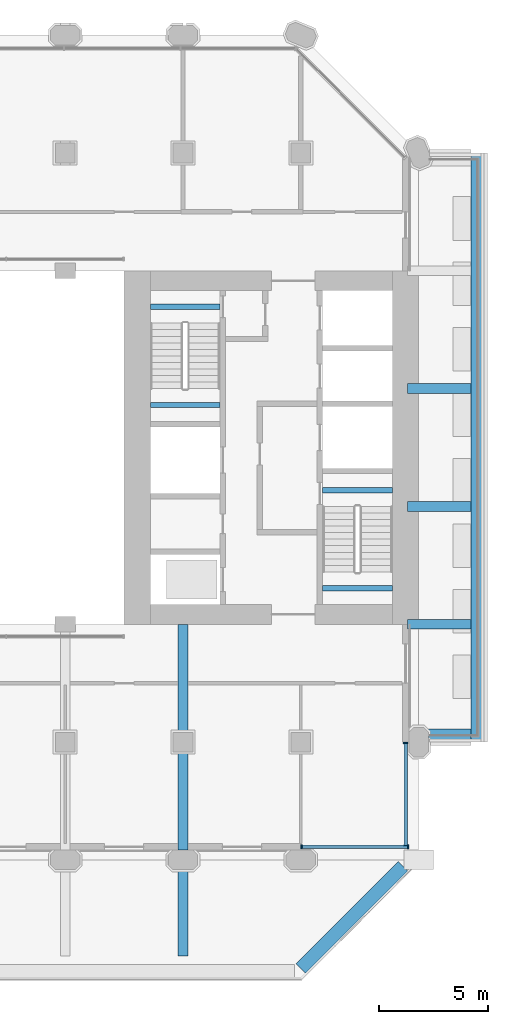
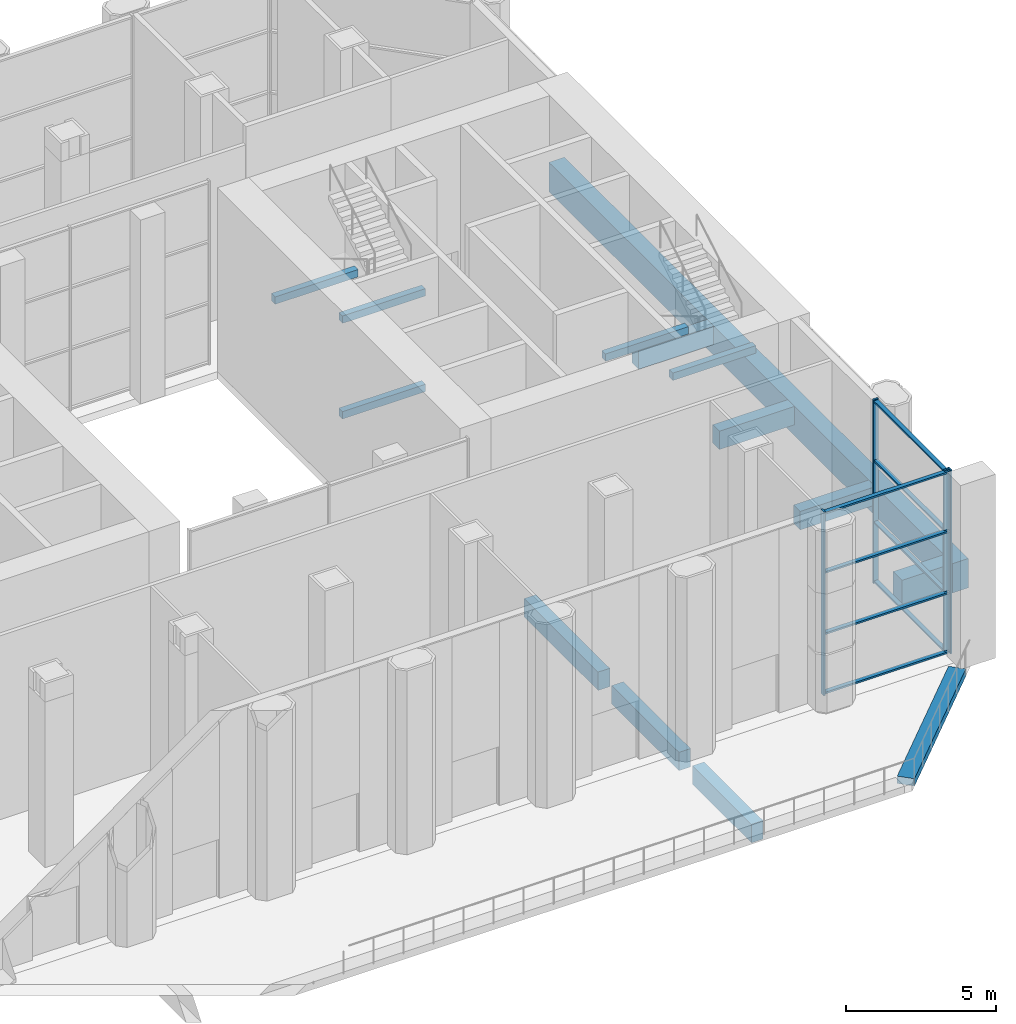
# One storey, part 5 of 20: 14 beams, 12 members, 2 elements without a shape of their own.
"""IFC4 building model written with IfcOpenShell, lengths in metres."""

from ifc_helpers import new_model, si_unit, direction, frame, origin, origin_2d, place, context, subcontext, project, spatial, rectangle, extrude, material, material_profile, profile_set, type_object, element, aggregate, save


model = new_model("IFC4")

# Units and contexts
model_context = context("Model", 3, precision=1e-05, world=origin(), true_north=direction((0.0, 1.0)))
body_context = subcontext(model_context, "Body", "Model", "MODEL_VIEW")
ifc_project = project(units=[si_unit("LENGTHUNIT", "METRE"), si_unit("AREAUNIT", "SQUARE_METRE"), si_unit("VOLUMEUNIT", "CUBIC_METRE"), si_unit("PLANEANGLEUNIT", "RADIAN"), si_unit("MASSUNIT", "GRAM", prefix="KILO")], contexts=[model_context])

# Site, building, storey
site_placement = place(None, origin())
site = spatial("IfcSite", under=ifc_project, at=site_placement, CompositionType="ELEMENT")
building_placement = place(site_placement, origin())
building = spatial("IfcBuilding", under=site, at=building_placement, Name="Tabaq Tower and Sports Hall", CompositionType="ELEMENT")
storey_placement = place(building_placement, frame((0.0, 0.0, 130.60009765625)))
storey = spatial("IfcBuildingStorey", under=building, at=storey_placement, Name="L31", CompositionType="ELEMENT", Elevation=130.60009765625)

# Curtain wall, members
ifc_material_1 = material(Name="Aluminium alloy 6063-T6 framed glazing", Category="aluminium")
curtain_wall_type = type_object("IfcCurtainWallType", Name="CW2 curtain wall", PredefinedType="USERDEFINED", material=ifc_material_1)
curtain_wall_1_placement = place(storey_placement, origin())
curtain_wall_1 = element("IfcCurtainWall", 1, at=curtain_wall_1_placement, inside=storey, type_object=curtain_wall_type, Name="Sky Lobby Wall L31 S", ObjectType="SKY LOBBY WALL", PredefinedType="USERDEFINED")
ifc_material_2 = material(Name="Aluminium alloy 6063-T6", Category="aluminium")
ifc_material_profile_1 = material_profile(ifc_material_2, rectangle(XDim=0.199951171875, YDim=0.070068359375, at=origin_2d()), Name="MULLION 200x70")
ifc_profile_set_1 = profile_set([ifc_material_profile_1], Name="Aluminium alloy 6063-T6")
member_type_1 = type_object("IfcMemberType", Name="CW2 mullion 200x70", PredefinedType="MULLION", material=ifc_profile_set_1)
member_1_placement = place(storey_placement, frame((37.8349609375, 6.0, 0.0), z_axis=(0.0, 0.0, 1.0), x_axis=(0.0, 1.0, 0.0)))
member_1 = element("IfcMember", 2, at=member_1_placement, type_object=member_type_1, Name="CW2 mullion 1", PredefinedType="MULLION", context=body_context, shape_type="SweptSolid", body=[
    extrude(rectangle(XDim=0.199951171875, YDim=0.070068359375, at=origin_2d()), origin(), (0.0, 0.0, 1.0), 7.5),
])
member_2_placement = place(storey_placement, frame((42.715087890625, 6.0, 0.0), z_axis=(0.0, 0.0, 1.0), x_axis=(0.0, 1.0, 0.0)))
member_2 = element("IfcMember", 3, at=member_2_placement, type_object=member_type_1, Name="CW2 mullion 2", PredefinedType="MULLION", context=body_context, shape_type="SweptSolid", body=[
    extrude(rectangle(XDim=0.199951171875, YDim=0.070068359375, at=origin_2d()), origin(), (0.0, 0.0, 1.0), 7.5),
])

curtain_wall_2_placement = place(storey_placement, origin())
curtain_wall_2 = element("IfcCurtainWall", 4, at=curtain_wall_2_placement, inside=storey, type_object=curtain_wall_type, Name="Sky Lobby Wall L31 E", ObjectType="SKY LOBBY WALL", PredefinedType="USERDEFINED")
member_3_placement = place(storey_placement, frame((42.60009765625, 6.034912109375, 0.0), z_axis=(0.0, 0.0, 1.0), x_axis=(-1.0, 0.0, 0.0)))
member_3 = element("IfcMember", 5, at=member_3_placement, type_object=member_type_1, Name="CW2 mullion 1", PredefinedType="MULLION", context=body_context, shape_type="SweptSolid", body=[
    extrude(rectangle(XDim=0.199951171875, YDim=0.070068359375, at=origin_2d()), origin(), (0.0, 0.0, 1.0), 7.5),
])
member_4_placement = place(storey_placement, frame((42.60009765625, 10.764892578125, 0.0), z_axis=(0.0, 0.0, 1.0), x_axis=(-1.0, 0.0, 0.0)))
member_4 = element("IfcMember", 6, at=member_4_placement, type_object=member_type_1, Name="CW2 mullion 2", PredefinedType="MULLION", context=body_context, shape_type="SweptSolid", body=[
    extrude(rectangle(XDim=0.199951171875, YDim=0.070068359375, at=origin_2d()), origin(), (0.0, 0.0, 1.0), 7.5),
])

# Member
ifc_material_3 = material(Name="Aluminium alloy 6063-T6", Category="aluminium")
ifc_material_profile_2 = material_profile(ifc_material_3, rectangle(XDim=0.159912109375, YDim=0.070068359375, at=origin_2d()), Name="TRANSOM 160x70")
ifc_profile_set_2 = profile_set([ifc_material_profile_2], Name="Aluminium alloy 6063-T6")
member_type_2 = type_object("IfcMemberType", Name="CW2 transom 160x70", PredefinedType="USERDEFINED", material=ifc_profile_set_2)
member_5_placement = place(storey_placement, frame((37.8701171875, 6.0, 0.079833984375), z_axis=(1.0, 0.0, 0.0), x_axis=(0.0, 1.0, 0.0)))
member_5 = element("IfcMember", 7, at=member_5_placement, type_object=member_type_2, Name="CW2 transom 1.1", ObjectType="TRANSOM", PredefinedType="USERDEFINED", context=body_context, shape_type="SweptSolid", body=[
    extrude(rectangle(XDim=0.159912109375, YDim=0.070068359375, at=origin_2d()), origin(), (0.0, 0.0, 1.0), 4.809814453125),
])

member_6_placement = place(storey_placement, frame((37.8701171875, 6.0, 2.5), z_axis=(1.0, 0.0, 0.0), x_axis=(0.0, 1.0, 0.0)))
member_6 = element("IfcMember", 8, at=member_6_placement, type_object=member_type_2, Name="CW2 transom 1.2", ObjectType="TRANSOM", PredefinedType="USERDEFINED", context=body_context, shape_type="SweptSolid", body=[
    extrude(rectangle(XDim=0.159912109375, YDim=0.070068359375, at=origin_2d()), origin(), (0.0, 0.0, 1.0), 4.809814453125),
])

member_7_placement = place(storey_placement, frame((37.8701171875, 6.0, 5.0), z_axis=(1.0, 0.0, 0.0), x_axis=(0.0, 1.0, 0.0)))
member_7 = element("IfcMember", 9, at=member_7_placement, type_object=member_type_2, Name="CW2 transom 1.3", ObjectType="TRANSOM", PredefinedType="USERDEFINED", context=body_context, shape_type="SweptSolid", body=[
    extrude(rectangle(XDim=0.159912109375, YDim=0.070068359375, at=origin_2d()), origin(), (0.0, 0.0, 1.0), 4.809814453125),
])

member_8_placement = place(storey_placement, frame((37.8701171875, 6.0, 7.419921875), z_axis=(1.0, 0.0, 0.0), x_axis=(0.0, 1.0, 0.0)))
member_8 = element("IfcMember", 10, at=member_8_placement, type_object=member_type_2, Name="CW2 transom 1.4", ObjectType="TRANSOM", PredefinedType="USERDEFINED", context=body_context, shape_type="SweptSolid", body=[
    extrude(rectangle(XDim=0.159912109375, YDim=0.070068359375, at=origin_2d()), origin(), (0.0, 0.0, 1.0), 4.809814453125),
])

aggregate(curtain_wall_1, [member_1, member_2, member_5, member_6, member_7, member_8])

member_9_placement = place(storey_placement, frame((42.60009765625, 6.070068359375, 0.079833984375), z_axis=(0.0, 1.0, 0.0), x_axis=(-1.0, 0.0, 0.0)))
member_9 = element("IfcMember", 11, at=member_9_placement, type_object=member_type_2, Name="CW2 transom 1.1", ObjectType="TRANSOM", PredefinedType="USERDEFINED", context=body_context, shape_type="SweptSolid", body=[
    extrude(rectangle(XDim=0.159912109375, YDim=0.070068359375, at=origin_2d()), origin(), (0.0, 0.0, 1.0), 4.659912109375),
])

member_10_placement = place(storey_placement, frame((42.60009765625, 6.070068359375, 2.5), z_axis=(0.0, 1.0, 0.0), x_axis=(-1.0, 0.0, 0.0)))
member_10 = element("IfcMember", 12, at=member_10_placement, type_object=member_type_2, Name="CW2 transom 1.2", ObjectType="TRANSOM", PredefinedType="USERDEFINED", context=body_context, shape_type="SweptSolid", body=[
    extrude(rectangle(XDim=0.159912109375, YDim=0.070068359375, at=origin_2d()), origin(), (0.0, 0.0, 1.0), 4.659912109375),
])

member_11_placement = place(storey_placement, frame((42.60009765625, 6.070068359375, 5.0), z_axis=(0.0, 1.0, 0.0), x_axis=(-1.0, 0.0, 0.0)))
member_11 = element("IfcMember", 13, at=member_11_placement, type_object=member_type_2, Name="CW2 transom 1.3", ObjectType="TRANSOM", PredefinedType="USERDEFINED", context=body_context, shape_type="SweptSolid", body=[
    extrude(rectangle(XDim=0.159912109375, YDim=0.070068359375, at=origin_2d()), origin(), (0.0, 0.0, 1.0), 4.659912109375),
])

member_12_placement = place(storey_placement, frame((42.60009765625, 6.070068359375, 7.419921875), z_axis=(0.0, 1.0, 0.0), x_axis=(-1.0, 0.0, 0.0)))
member_12 = element("IfcMember", 14, at=member_12_placement, type_object=member_type_2, Name="CW2 transom 1.4", ObjectType="TRANSOM", PredefinedType="USERDEFINED", context=body_context, shape_type="SweptSolid", body=[
    extrude(rectangle(XDim=0.159912109375, YDim=0.070068359375, at=origin_2d()), origin(), (0.0, 0.0, 1.0), 4.659912109375),
])

aggregate(curtain_wall_2, [member_3, member_4, member_9, member_10, member_11, member_12])

# Beams
ifc_material_4 = material(Name="Concrete C40/50", Category="concrete")
ifc_material_profile_3 = material_profile(ifc_material_4, rectangle(XDim=0.60009765625, YDim=1.199951171875, at=origin_2d()), Name="EBT 600x1200")
ifc_profile_set_3 = profile_set([ifc_material_profile_3], Name="Concrete C40/50")
beam_type_1 = type_object("IfcBeamType", Name="Concrete C40/50 PT edge band EBT 600x1200", PredefinedType="BEAM", material=ifc_profile_set_3)
beam_1_placement = place(storey_placement, frame((45.89990234375, 10.800048828125, -0.900146484375), z_axis=(0.0, 1.0, 0.0), x_axis=(-1.0, 0.0, 0.0)))
element("IfcBeam", 15, at=beam_1_placement, inside=storey, type_object=beam_type_1, Name="Tray edge band L31", PredefinedType="BEAM", context=body_context, shape_type="SweptSolid", body=[
    extrude(rectangle(XDim=0.60009765625, YDim=1.199951171875, at=origin_2d()), origin(), (0.0, 0.0, 1.0), 27.0),
])
beam_2_placement = place(storey_placement, frame((43.64990234375, 11.10009765625, -0.900146484375), z_axis=(1.0, 0.0, 0.0), x_axis=(0.0, 1.0, 0.0)))
element("IfcBeam", 16, at=beam_2_placement, inside=storey, type_object=beam_type_1, Name="Tray edge band L31", PredefinedType="BEAM", context=body_context, shape_type="SweptSolid", body=[
    extrude(rectangle(XDim=0.60009765625, YDim=1.199951171875, at=origin_2d()), origin(), (0.0, 0.0, 1.0), 1.9501953125),
])
ifc_material_5 = material(Name="Concrete C40/50", Category="concrete")
ifc_material_profile_4 = material_profile(ifc_material_5, rectangle(XDim=0.449951171875, YDim=0.75, at=origin_2d()), Name="CB 450x750")
ifc_profile_set_4 = profile_set([ifc_material_profile_4], Name="Concrete C40/50")
beam_type_2 = type_object("IfcBeamType", Name="PT CANTILEVER BEAM CB 450x750 C40/50", PredefinedType="BEAM", material=ifc_profile_set_4)
beam_3_placement = place(storey_placement, frame((32.39990234375, 1.0, -0.675048828125), z_axis=(0.0, 1.0, 0.0), x_axis=(-1.0, 0.0, 0.0)))
element("IfcBeam", 17, at=beam_3_placement, inside=storey, type_object=beam_type_2, Name="Cantilever Beam L31 S6 span 1", PredefinedType="BEAM", context=body_context, shape_type="SweptSolid", body=[
    extrude(rectangle(XDim=0.449951171875, YDim=0.75, at=origin_2d()), origin(), (0.0, 0.0, 1.0), 3.949951171875),
])
beam_4_placement = place(storey_placement, frame((32.39990234375, 5.85009765625, -0.675048828125), z_axis=(0.0, 1.0, 0.0), x_axis=(-1.0, 0.0, 0.0)))
element("IfcBeam", 18, at=beam_4_placement, inside=storey, type_object=beam_type_2, Name="Cantilever Beam L31 S6 span 2", PredefinedType="BEAM", context=body_context, shape_type="SweptSolid", body=[
    extrude(rectangle(XDim=0.449951171875, YDim=0.75, at=origin_2d()), origin(), (0.0, 0.0, 1.0), 4.5),
])
beam_5_placement = place(storey_placement, frame((32.39990234375, 11.25, -0.675048828125), z_axis=(0.0, 1.0, 0.0), x_axis=(-1.0, 0.0, 0.0)))
element("IfcBeam", 19, at=beam_5_placement, inside=storey, type_object=beam_type_2, Name="Cantilever Beam L31 S6 span 3", PredefinedType="BEAM", context=body_context, shape_type="SweptSolid", body=[
    extrude(rectangle(XDim=0.449951171875, YDim=0.75, at=origin_2d()), origin(), (0.0, 0.0, 1.0), 4.949951171875),
])
for number, where, z_axis, x_axis, name in (
    (20, (45.60009765625, 16.199951171875, -0.675048828125), (-1.0, 0.0, 0.0), (0.0, -1.0, 0.0), "Tray Cantilever Beam L31 T1 span 1"),
    (21, (45.60009765625, 21.60009765625, -0.675048828125), (-1.0, 0.0, 0.0), (0.0, -1.0, 0.0), "Tray Cantilever Beam L31 T2 span 1"),
    (22, (45.60009765625, 27.0, -0.675048828125), (-1.0, 0.0, 0.0), (0.0, -1.0, 0.0), "Tray Cantilever Beam L31 T3 span 1"),
):
    element("IfcBeam", number, at=place(storey_placement, frame(where, z_axis=z_axis, x_axis=x_axis)), inside=storey, type_object=beam_type_2, Name=name, PredefinedType="BEAM", context=body_context, shape_type="SweptSolid", body=[
        extrude(rectangle(XDim=0.449951171875, YDim=0.75, at=origin_2d()), origin(), (0.0, 0.0, 1.0), 2.900146484375),
    ])
ifc_material_6 = material(Name="Concrete C40/50", Category="concrete")
ifc_material_profile_5 = material_profile(ifc_material_6, rectangle(XDim=0.60009765625, YDim=0.300048828125, at=origin_2d()), Name="EB 600x300")
ifc_profile_set_5 = profile_set([ifc_material_profile_5], Name="Concrete C40/50")
beam_type_3 = type_object("IfcBeamType", Name="PT EDGE BEAM EB 600x300 C40/50", PredefinedType="SPANDREL", material=ifc_profile_set_5)
beam_6_placement = place(storey_placement, frame((37.799072265625, 0.42333984375, -0.150146484375), z_axis=(0.707106781187, 0.707106781187, 0.0), x_axis=(-0.707106781187, 0.707106781187, 0.0)))
element("IfcBeam", 23, at=beam_6_placement, inside=storey, type_object=beam_type_3, Name="Edge Beam L31 4", PredefinedType="SPANDREL", context=body_context, shape_type="SweptSolid", body=[
    extrude(rectangle(XDim=0.60009765625, YDim=0.300048828125, at=origin_2d()), origin(), (0.0, 0.0, 1.0), 6.628173828125),
])
ifc_material_7 = material(Name="Concrete C40/50", Category="concrete")
ifc_material_profile_6 = material_profile(ifc_material_7, rectangle(XDim=0.25, YDim=0.300048828125, at=origin_2d()), Name="RC 250x300")
ifc_profile_set_6 = profile_set([ifc_material_profile_6], Name="Concrete C40/50")
beam_type_4 = type_object("IfcBeamType", Name="Stair landing beam 250x300", PredefinedType="BEAM", material=ifc_profile_set_6)
for number, where, z_axis, x_axis, name in (
    (24, (38.800048828125, 22.35009765625, 3.5498046875), (1.0, 0.0, 0.0), (0.0, 1.0, 0.0), "L31 ST3 landing beam 2"),
    (25, (38.800048828125, 17.85009765625, 5.5), (1.0, 0.0, 0.0), (0.0, 1.0, 0.0), "L31 ST3 landing beam 3"),
):
    element("IfcBeam", number, at=place(storey_placement, frame(where, z_axis=z_axis, x_axis=x_axis)), inside=storey, type_object=beam_type_4, Name=name, PredefinedType="BEAM", context=body_context, shape_type="SweptSolid", body=[
        extrude(rectangle(XDim=0.25, YDim=0.300048828125, at=origin_2d()), origin(), (0.0, 0.0, 1.0), 3.199951171875),
    ])
for number, where, z_axis, x_axis, name in (
    (26, (30.89990234375, 26.25, 1.599853515625), (1.0, 0.0, 0.0), (0.0, 1.0, 0.0), "L31 ST4 landing beam 1"),
    (27, (30.89990234375, 30.75, 3.5498046875), (1.0, 0.0, 0.0), (0.0, 1.0, 0.0), "L31 ST4 landing beam 2"),
    (28, (30.89990234375, 26.25, 5.5), (1.0, 0.0, 0.0), (0.0, 1.0, 0.0), "L31 ST4 landing beam 3"),
):
    element("IfcBeam", number, at=place(storey_placement, frame(where, z_axis=z_axis, x_axis=x_axis)), inside=storey, type_object=beam_type_4, Name=name, PredefinedType="BEAM", context=body_context, shape_type="SweptSolid", body=[
        extrude(rectangle(XDim=0.25, YDim=0.300048828125, at=origin_2d()), origin(), (0.0, 0.0, 1.0), 3.2001953125),
    ])

save(model, "model.ifc")
